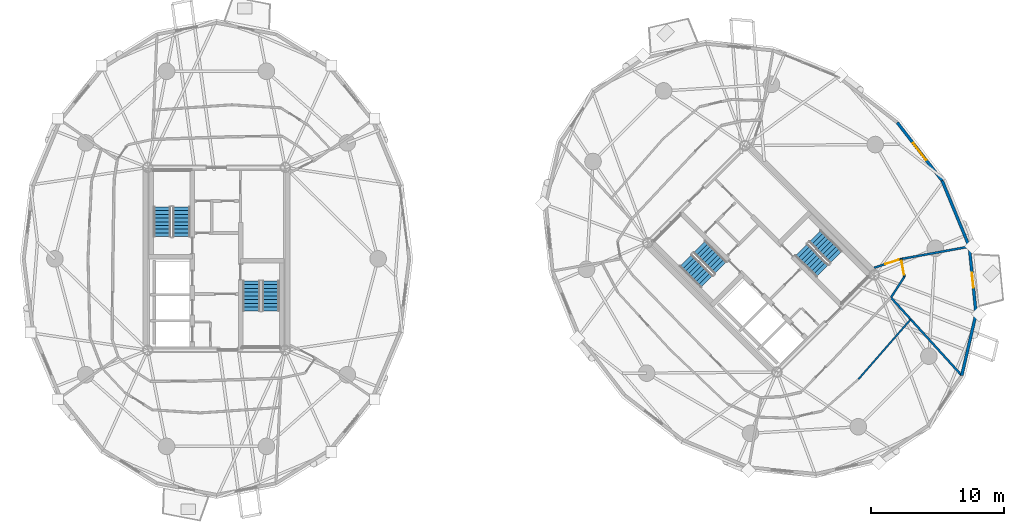
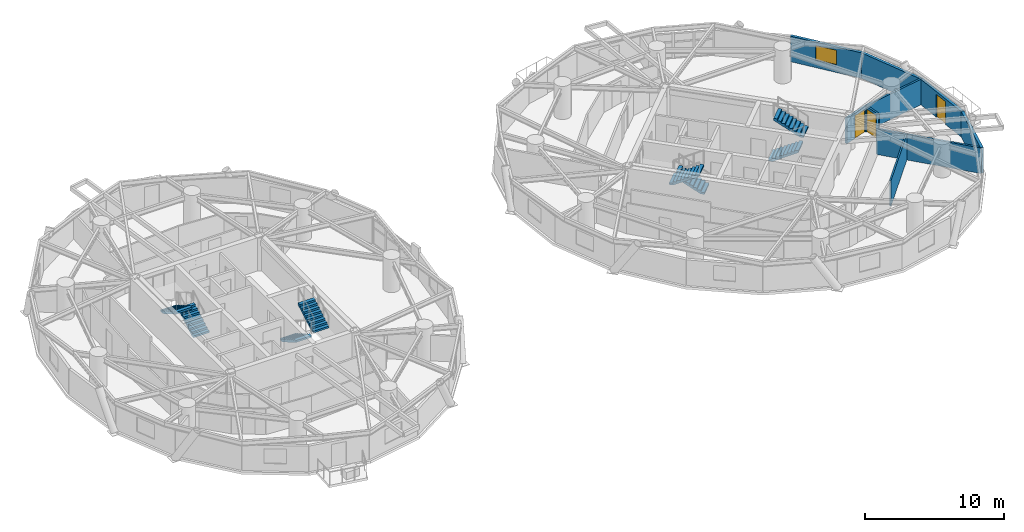
# One storey, part 16 of 19: 10 walls, 8 stair flights, 3 doors, 1 window, 4 openings, 4 elements without a shape of their own.
"""IFC4 building model written with IfcOpenShell, lengths in metres."""

from ifc_helpers import new_model, si_unit, direction, frame, frame_2d, origin, place, context, subcontext, project, spatial, polyline, rectangle, outline, extrude, source, transform, mapped, material, layer, layer_set, type_object, element, fill, aggregate, save


model = new_model("IFC4")

# Units and contexts
model_context = context("Model", 3, precision=1e-05, world=origin(), true_north=direction((0.0, 1.0)))
body_context = subcontext(model_context, "Body", "Model", "MODEL_VIEW")
ifc_project = project(units=[si_unit("LENGTHUNIT", "METRE"), si_unit("AREAUNIT", "SQUARE_METRE"), si_unit("VOLUMEUNIT", "CUBIC_METRE"), si_unit("PLANEANGLEUNIT", "RADIAN"), si_unit("MASSUNIT", "GRAM", prefix="KILO")], contexts=[model_context])

# Site, building, storey
site_placement = place(None, origin())
site = spatial("IfcSite", under=ifc_project, at=site_placement, CompositionType="ELEMENT")
building_placement = place(site_placement, origin())
building = spatial("IfcBuilding", under=site, at=building_placement, Name="Cununo Teusaquillo Station Towers", CompositionType="ELEMENT")
storey_placement = place(building_placement, frame((0.0, 0.0, 160.330078125)))
storey = spatial("IfcBuildingStorey", under=building, at=storey_placement, Name="L50", CompositionType="ELEMENT", Elevation=160.330078125)

# Wall
ifc_material_1 = material(Name="Precast concrete C40/50", Category="concrete")
ifc_layer_1 = layer(ifc_material_1, 0.219970703125)
ifc_layer_set_1 = layer_set([ifc_layer_1], Name="Precast concrete C40/50")
wall_type_1 = type_object("IfcWallType", Name="WL-EXT-220", PredefinedType="SOLIDWALL", material=ifc_layer_set_1)
wall_1_placement = place(storey_placement, frame((73.6982421875, 20.3671875, 0.0), z_axis=(0.0, 0.0, 1.0), x_axis=(-0.225659540039, -0.974206226622, 0.0)))
element("IfcWall", 1, at=wall_1_placement, inside=storey, type_object=wall_type_1, Name="L50 Tower B Exterior Facade Wall C16", PredefinedType="SOLIDWALL", context=body_context, shape_type="SweptSolid", body=[
    extrude(rectangle(XDim=4.76904296875, YDim=0.219970703125, at=frame_2d((2.384521484375, 0.0))), origin(), (0.0, 0.0, 1.0), 2.244873046875),
])

# Wall, opening, door
wall_2_placement = place(storey_placement, frame((73.189208984375, 25.417724609375, 0.0), z_axis=(0.0, 0.0, 1.0), x_axis=(0.100279889424, -0.994959267396, 0.0)))
wall_2 = element("IfcWall", 2, at=wall_2_placement, inside=storey, type_object=wall_type_1, Name="L50 Tower B Exterior Facade Wall C17", PredefinedType="SOLIDWALL", context=body_context, shape_type="SweptSolid", body=[
    extrude(rectangle(XDim=5.076171875, YDim=0.219970703125, at=frame_2d((2.5380859375, 0.0))), origin(), (0.0, 0.0, 1.0), 2.244873046875),
])
shared_shape_1 = source(origin(), body_context, "Body", "SweptSolid", [
    extrude(rectangle(XDim=1.14990234375, YDim=2.0048828125, at=frame_2d((0.574951171875, 1.00244140625))), frame((0.0, 0.119873046875, 0.0), z_axis=(0.0, -1.0, 0.0), x_axis=(1.0, 0.0, 0.0)), (0.0, 0.0, 1.0), 0.239990234375),
])
opening_1_placement = place(wall_2_placement, frame((1.962890625, 0.0, 0.0)))
opening_1 = element("IfcOpeningElement", 3, at=opening_1_placement, cuts=wall_2, Name="Opening ED-03", PredefinedType="OPENING", context=body_context, shape_type="MappedRepresentation", body=[
    mapped(shared_shape_1, transform((0.0, 0.0, 0.0), x_axis=(1.0, 0.0, 0.0), y_axis=(0.0, 1.0, 0.0), z_axis=(0.0, 0.0, 1.0), scale=1.0)),
])
ifc_material_2 = material(Name="Anodised dark bronze aluminium EN AW-6063-T6", Category="aluminium")
door_type_1 = type_object("IfcDoorType", Name="DR-EXT-BAL", OperationType="NOTDEFINED", PredefinedType="DOOR", material=ifc_material_2)
shared_shape_2 = source(origin(), body_context, "Body", "SweptSolid", [
    extrude(rectangle(XDim=1.14990234375, YDim=2.0048828125, at=frame_2d((0.574951171875, 1.00244140625))), frame((0.0, 0.02490234375, 0.0), z_axis=(0.0, -1.0, 0.0), x_axis=(1.0, 0.0, 0.0)), (0.0, 0.0, 1.0), 0.050048828125),
])
door_1_placement = place(opening_1_placement, origin())
door_1 = element("IfcDoor", 4, at=door_1_placement, inside=storey, type_object=door_type_1, Name="L50 Tower B Tree Balcony Door C17", OperationType="SINGLE_SWING_LEFT", OverallHeight=2.0048828125, OverallWidth=1.14990234375, PredefinedType="DOOR", context=body_context, shape_type="MappedRepresentation", body=[
    mapped(shared_shape_2, transform((0.0, 0.0, 0.0), x_axis=(1.0, 0.0, 0.0), y_axis=(0.0, 1.0, 0.0), z_axis=(0.0, 0.0, 1.0), scale=1.0)),
])
fill(opening_1, door_1)

# Wall
wall_3_placement = place(storey_placement, frame((71.144287109375, 30.37841796875, 0.0), z_axis=(0.0, 0.0, 1.0), x_axis=(0.38111364655, -0.924528197738, 0.0)))
element("IfcWall", 5, at=wall_3_placement, inside=storey, type_object=wall_type_1, Name="L50 Tower B Exterior Facade Wall C18", PredefinedType="SOLIDWALL", context=body_context, shape_type="SweptSolid", body=[
    extrude(rectangle(XDim=5.36572265625, YDim=0.219970703125, at=frame_2d((2.682861328125, 0.0))), origin(), (0.0, 0.0, 1.0), 2.244873046875),
])

# Wall, opening, window
wall_4_placement = place(storey_placement, frame((67.763671875, 34.763671875, 0.0), z_axis=(0.0, 0.0, 1.0), x_axis=(0.610543584779, -0.791982658323, 0.0)))
wall_4 = element("IfcWall", 6, at=wall_4_placement, inside=storey, type_object=wall_type_1, Name="L50 Tower B Exterior Facade Wall C19", PredefinedType="SOLIDWALL", context=body_context, shape_type="SweptSolid", body=[
    extrude(rectangle(XDim=5.537109375, YDim=0.219970703125, at=frame_2d((2.7685546875, 0.0))), origin(), (0.0, 0.0, 1.0), 2.244873046875),
])
shared_shape_3 = source(origin(), body_context, "Body", "SweptSolid", [
    extrude(rectangle(XDim=1.60009765625, YDim=1.300048828125, at=frame_2d((0.800048828125, 0.64990234375))), frame((0.0, 0.119873046875, 0.0), z_axis=(0.0, -1.0, 0.0), x_axis=(1.0, 0.0, 0.0)), (0.0, 0.0, 1.0), 0.239990234375),
])
opening_2_placement = place(wall_4_placement, frame((1.968017578125, 0.0, 0.64990234375)))
opening_2 = element("IfcOpeningElement", 7, at=opening_2_placement, cuts=wall_4, Name="Opening WN-03", PredefinedType="OPENING", context=body_context, shape_type="MappedRepresentation", body=[
    mapped(shared_shape_3, transform((0.0, 0.0, 0.0), x_axis=(1.0, 0.0, 0.0), y_axis=(0.0, 1.0, 0.0), z_axis=(0.0, 0.0, 1.0), scale=1.0)),
])
ifc_material_3 = material(Name="Ceramic-fritted dark low-E double glazing", Category="glass")
window_type = type_object("IfcWindowType", Name="WIN-CORN-1600", PartitioningType="SINGLE_PANEL", PredefinedType="WINDOW", material=ifc_material_3)
shared_shape_4 = source(origin(), body_context, "Body", "SweptSolid", [
    extrude(rectangle(XDim=1.60009765625, YDim=1.300048828125, at=frame_2d((0.800048828125, 0.64990234375))), frame((0.0, 0.030029296875, 0.0), z_axis=(0.0, -1.0, 0.0), x_axis=(1.0, 0.0, 0.0)), (0.0, 0.0, 1.0), 0.06005859375),
])
window_placement = place(opening_2_placement, origin())
window = element("IfcWindow", 8, at=window_placement, inside=storey, type_object=window_type, Name="L50 Tower B Facade Window C19", OverallHeight=1.300048828125, OverallWidth=1.60009765625, PartitioningType="SINGLE_PANEL", PredefinedType="WINDOW", context=body_context, shape_type="MappedRepresentation", body=[
    mapped(shared_shape_4, transform((0.0, 0.0, 0.0), x_axis=(1.0, 0.0, 0.0), y_axis=(0.0, 1.0, 0.0), z_axis=(0.0, 0.0, 1.0), scale=1.0)),
])
fill(opening_2, window)

# Walls
ifc_material_4 = material(Name="Fire-rated gypsum plasterboard partition assembly", Category="gypsum")
ifc_layer_2 = layer(ifc_material_4, 0.125)
ifc_layer_set_2 = layer_set([ifc_layer_2], Name="Fire-rated gypsum plasterboard partition assembly")
wall_type_2 = type_object("IfcWallType", Name="WL-PART-125", PredefinedType="PARTITIONING", material=ifc_layer_set_2)
wall_5_placement = place(storey_placement, frame((64.838623046875, 15.4326171875, 0.0), z_axis=(0.0, 0.0, 1.0), x_axis=(0.657505208165, 0.753449999161, 0.0)))
element("IfcWall", 9, at=wall_5_placement, inside=storey, type_object=wall_type_2, Name="L50 Tower B Cordillera Executive Conference Salon Concentric Partition Wall C15", PredefinedType="PARTITIONING", context=body_context, shape_type="SweptSolid", body=[
    extrude(rectangle(XDim=5.987548828125, YDim=0.125, at=frame_2d((2.99365234375, 0.0))), origin(), (0.0, 0.0, 1.0), 2.244873046875),
])
ifc_material_5 = material(Name="Fire-rated gypsum plasterboard partition assembly", Category="gypsum")
ifc_layer_3 = layer(ifc_material_5, 0.14990234375)
ifc_layer_set_3 = layer_set([ifc_layer_3], Name="Fire-rated gypsum plasterboard partition assembly")
wall_type_3 = type_object("IfcWallType", Name="WL-PART-150", PredefinedType="PARTITIONING", material=ifc_layer_set_3)
wall_6_placement = place(storey_placement, frame((67.28662109375, 21.582275390625, 0.0), z_axis=(0.0, 0.0, 1.0), x_axis=(0.543202443884, 0.839601753785, 0.0)))
element("IfcWall", 10, at=wall_6_placement, inside=storey, type_object=wall_type_3, Name="L50 Tower B Corridor Ring Wall C16", PredefinedType="PARTITIONING", context=body_context, shape_type="SweptSolid", body=[
    extrude(rectangle(XDim=1.86572265625, YDim=0.14990234375, at=frame_2d((0.932861328125, 0.0))), origin(), (0.0, 0.0, 1.0), 2.244873046875),
])

# Wall, opening, door
wall_7_placement = place(storey_placement, frame((68.300048828125, 23.148681640625, 0.0), z_axis=(0.0, 0.0, 1.0), x_axis=(-0.176423554694, 0.984314344785, 0.0)))
wall_7 = element("IfcWall", 11, at=wall_7_placement, inside=storey, type_object=wall_type_3, Name="L50 Tower B Corridor Ring Wall C17", PredefinedType="PARTITIONING", context=body_context, shape_type="SweptSolid", body=[
    extrude(rectangle(XDim=1.361572265625, YDim=0.14990234375, at=frame_2d((0.6806640625, 0.0))), origin(), (0.0, 0.0, 1.0), 2.244873046875),
])
shared_shape_5 = source(origin(), body_context, "Body", "SweptSolid", [
    extrude(rectangle(XDim=1.050048828125, YDim=2.014892578125, at=frame_2d((0.52490234375, 1.00732421875))), frame((0.0, 0.0849609375, 0.0), z_axis=(0.0, -1.0, 0.0), x_axis=(1.0, 0.0, 0.0)), (0.0, 0.0, 1.0), 0.169921875),
])
opening_3_placement = place(wall_7_placement, frame((0.156005859375, 0.0, 0.0)))
opening_3 = element("IfcOpeningElement", 12, at=opening_3_placement, cuts=wall_7, Name="Opening D-SU1", PredefinedType="OPENING", context=body_context, shape_type="MappedRepresentation", body=[
    mapped(shared_shape_5, transform((0.0, 0.0, 0.0), x_axis=(1.0, 0.0, 0.0), y_axis=(0.0, 1.0, 0.0), z_axis=(0.0, 0.0, 1.0), scale=1.0)),
])
ifc_material_6 = material(Name="Acoustic solid-core hardwood leaf assembly", Category="wood")
door_type_2 = type_object("IfcDoorType", Name="DR-SUITE-1050", OperationType="NOTDEFINED", PredefinedType="DOOR", material=ifc_material_6)
shared_shape_6 = source(origin(), body_context, "Body", "SweptSolid", [
    extrude(rectangle(XDim=1.050048828125, YDim=2.014892578125, at=frame_2d((0.52490234375, 1.00732421875))), frame((0.0, 0.02490234375, 0.0), z_axis=(0.0, -1.0, 0.0), x_axis=(1.0, 0.0, 0.0)), (0.0, 0.0, 1.0), 0.050048828125),
])
door_2_placement = place(opening_3_placement, origin())
door_2 = element("IfcDoor", 13, at=door_2_placement, inside=storey, type_object=door_type_2, Name="L50 Tower B Hotel Housekeeping & Linen Pantry Entrance Door", OperationType="SINGLE_SWING_LEFT", OverallHeight=2.014892578125, OverallWidth=1.050048828125, PredefinedType="DOOR", context=body_context, shape_type="MappedRepresentation", body=[
    mapped(shared_shape_6, transform((0.0, 0.0, 0.0), x_axis=(1.0, 0.0, 0.0), y_axis=(0.0, 1.0, 0.0), z_axis=(0.0, 0.0, 1.0), scale=1.0)),
])
fill(opening_3, door_2)

# Walls
ifc_material_7 = material(Name="Fire-rated gypsum plasterboard partition assembly", Category="gypsum")
ifc_layer_4 = layer(ifc_material_7, 0.159912109375)
ifc_layer_set_4 = layer_set([ifc_layer_4], Name="Fire-rated gypsum plasterboard partition assembly")
wall_type_4 = type_object("IfcWallType", Name="WL-PART-160", PredefinedType="PARTITIONING", material=ifc_layer_set_4)
wall_8_placement = place(storey_placement, frame((67.28662109375, 21.582275390625, 0.0), z_axis=(0.0, 0.0, 1.0), x_axis=(0.672520632772, -0.740078373212, 0.0)))
element("IfcWall", 14, at=wall_8_placement, inside=storey, type_object=wall_type_4, Name="L50 Tower B Radial Suite Partition R05", PredefinedType="PARTITIONING", context=body_context, shape_type="SweptSolid", body=[
    extrude(rectangle(XDim=7.906982421875, YDim=0.159912109375, at=frame_2d((3.95361328125, 0.0))), origin(), (0.0, 0.0, 1.0), 2.244873046875),
])
wall_9_placement = place(storey_placement, frame((68.059814453125, 24.489013671875, 0.0), z_axis=(0.0, 0.0, 1.0), x_axis=(0.983987798657, 0.178235832802, 0.0)))
element("IfcWall", 15, at=wall_9_placement, inside=storey, type_object=wall_type_4, Name="L50 Tower B Radial Suite Partition R06", PredefinedType="PARTITIONING", context=body_context, shape_type="SweptSolid", body=[
    extrude(rectangle(XDim=5.19287109375, YDim=0.159912109375, at=frame_2d((2.596435546875, 0.0))), origin(), (0.0, 0.0, 1.0), 2.244873046875),
])

# Wall, opening, door
wall_10_placement = place(storey_placement, frame((66.0205078125, 23.828125, 0.0), z_axis=(0.0, 0.0, 1.0), x_axis=(0.951292345965, 0.308290240695, 0.0)))
wall_10 = element("IfcWall", 16, at=wall_10_placement, inside=storey, type_object=wall_type_4, Name="L50 Tower B East Salon Corridor Portal Wall SE", PredefinedType="PARTITIONING", context=body_context, shape_type="SweptSolid", body=[
    extrude(rectangle(XDim=2.143798828125, YDim=0.159912109375, at=frame_2d((1.07177734375, 0.0))), origin(), (0.0, 0.0, 1.0), 2.244873046875),
])
shared_shape_7 = source(origin(), body_context, "Body", "SweptSolid", [
    extrude(rectangle(XDim=1.050048828125, YDim=2.014892578125, at=frame_2d((0.52490234375, 1.00732421875))), frame((0.0, 0.08984375, 0.0), z_axis=(0.0, -1.0, 0.0), x_axis=(1.0, 0.0, 0.0)), (0.0, 0.0, 1.0), 0.179931640625),
])
opening_4_placement = place(wall_10_placement, frame((0.893798828125, 0.0, 0.0)))
opening_4 = element("IfcOpeningElement", 17, at=opening_4_placement, cuts=wall_10, Name="Opening D-SU1", PredefinedType="OPENING", context=body_context, shape_type="MappedRepresentation", body=[
    mapped(shared_shape_7, transform((0.0, 0.0, 0.0), x_axis=(1.0, 0.0, 0.0), y_axis=(0.0, 1.0, 0.0), z_axis=(0.0, 0.0, 1.0), scale=1.0)),
])
door_3_placement = place(opening_4_placement, origin())
door_3 = element("IfcDoor", 18, at=door_3_placement, inside=storey, type_object=door_type_2, Name="L50 Tower B East Panorama Sky Salon Door SE", OperationType="SINGLE_SWING_LEFT", OverallHeight=2.014892578125, OverallWidth=1.050048828125, PredefinedType="DOOR", context=body_context, shape_type="MappedRepresentation", body=[
    mapped(shared_shape_6, transform((0.0, 0.0, 0.0), x_axis=(1.0, 0.0, 0.0), y_axis=(0.0, 1.0, 0.0), z_axis=(0.0, 0.0, 1.0), scale=1.0)),
])
fill(opening_4, door_3)

# Stair, stair flights
ifc_material_8 = material(Name="Concrete C50/60", Category="concrete")
stair_type = type_object("IfcStairType", Name="ST-TWR-1300", PredefinedType="HALF_TURN_STAIR", material=ifc_material_8)
stair_1_placement = place(storey_placement, origin())
stair_1 = element("IfcStair", 19, at=stair_1_placement, inside=storey, type_object=stair_type, Name="L50 Tower A Protected Core Exit Stair 1", PredefinedType="HALF_TURN_STAIR")
ifc_material_9 = material(Name="Concrete C50/60", Category="concrete")
stair_flight_type = type_object("IfcStairFlightType", Name="SFL-TWR-1300", PredefinedType="STRAIGHT", material=ifc_material_9)
stair_flight_1_placement = place(storey_placement, frame((13.8701171875, 26.169921875, 0.0), z_axis=(0.0, 0.0, 1.0), x_axis=(0.0, 1.0, 0.0)))
stair_flight_1 = element("IfcStairFlight", 20, at=stair_flight_1_placement, type_object=stair_flight_type, Name="ST-T1-1 flight 1", NumberOfRisers=9, NumberOfTreads=8, PredefinedType="STRAIGHT", RiserHeight=0.161666667, TreadLength=0.28, context=body_context, shape_type="SweptSolid", body=[
    extrude(outline(polyline([(0.0, 0.0), (0.0, 0.16162109375), (0.280029296875, 0.16162109375), (0.280029296875, 0.3232421875), (0.56005859375, 0.3232421875), (0.56005859375, 0.485107421875), (0.840087890625, 0.485107421875), (0.840087890625, 0.646728515625), (1.1201171875, 0.646728515625), (1.1201171875, 0.808349609375), (1.39990234375, 0.808349609375), (1.39990234375, 0.969970703125), (1.679931640625, 0.969970703125), (1.679931640625, 1.131591796875), (1.9599609375, 1.131591796875), (1.9599609375, 1.293212890625), (2.239990234375, 1.293212890625), (2.239990234375, 1.455078125), (2.239990234375, 1.1201171875), (0.2998046875, 0.0), (0.0, 0.0)])), frame((0.0, 0.64990234375, 0.0), z_axis=(0.0, -1.0, 0.0), x_axis=(1.0, 0.0, 0.0)), (0.0, 0.0, 1.0), 1.300048828125),
])
stair_flight_2_placement = place(storey_placement, frame((12.409912109375, 28.409912109375, 1.454833984375), z_axis=(0.0, 0.0, 1.0), x_axis=(0.0, -1.0, 0.0)))
stair_flight_2 = element("IfcStairFlight", 21, at=stair_flight_2_placement, type_object=stair_flight_type, Name="ST-T1-1 flight 2", NumberOfRisers=9, NumberOfTreads=8, PredefinedType="STRAIGHT", RiserHeight=0.161666667, TreadLength=0.28, context=body_context, shape_type="SweptSolid", body=[
    extrude(outline(polyline([(0.0, 0.0), (0.0, 0.16162109375), (0.280029296875, 0.16162109375), (0.280029296875, 0.3232421875), (0.56005859375, 0.3232421875), (0.56005859375, 0.485107421875), (0.840087890625, 0.485107421875), (0.840087890625, 0.646728515625), (1.1201171875, 0.646728515625), (1.1201171875, 0.808349609375), (1.39990234375, 0.808349609375), (1.39990234375, 0.969970703125), (1.679931640625, 0.969970703125), (1.679931640625, 1.131591796875), (1.9599609375, 1.131591796875), (1.9599609375, 1.293212890625), (2.239990234375, 1.293212890625), (2.239990234375, 1.455078125), (2.239990234375, 1.1201171875), (0.2998046875, 0.0), (0.0, 0.0)])), frame((0.0, 0.64990234375, 0.0), z_axis=(0.0, -1.0, 0.0), x_axis=(1.0, 0.0, 0.0)), (0.0, 0.0, 1.0), 1.300048828125),
])
aggregate(stair_1, [stair_flight_1, stair_flight_2])

stair_2_placement = place(storey_placement, origin())
stair_2 = element("IfcStair", 22, at=stair_2_placement, inside=storey, type_object=stair_type, Name="L50 Tower A Protected Core Exit Stair 2", PredefinedType="HALF_TURN_STAIR")
stair_flight_3_placement = place(storey_placement, frame((19.1298828125, 22.830078125, 0.0), z_axis=(0.0, 0.0, 1.0), x_axis=(0.0, -1.0, 0.0)))
stair_flight_3 = element("IfcStairFlight", 23, at=stair_flight_3_placement, type_object=stair_flight_type, Name="ST-T1-2 flight 1", NumberOfRisers=9, NumberOfTreads=8, PredefinedType="STRAIGHT", RiserHeight=0.161666667, TreadLength=0.28, context=body_context, shape_type="SweptSolid", body=[
    extrude(outline(polyline([(0.0, 0.0), (0.0, 0.16162109375), (0.280029296875, 0.16162109375), (0.280029296875, 0.3232421875), (0.56005859375, 0.3232421875), (0.56005859375, 0.485107421875), (0.840087890625, 0.485107421875), (0.840087890625, 0.646728515625), (1.1201171875, 0.646728515625), (1.1201171875, 0.808349609375), (1.39990234375, 0.808349609375), (1.39990234375, 0.969970703125), (1.679931640625, 0.969970703125), (1.679931640625, 1.131591796875), (1.9599609375, 1.131591796875), (1.9599609375, 1.293212890625), (2.239990234375, 1.293212890625), (2.239990234375, 1.455078125), (2.239990234375, 1.1201171875), (0.2998046875, 0.0), (0.0, 0.0)])), frame((0.0, 0.64990234375, 0.0), z_axis=(0.0, -1.0, 0.0), x_axis=(1.0, 0.0, 0.0)), (0.0, 0.0, 1.0), 1.300048828125),
])
stair_flight_4_placement = place(storey_placement, frame((20.590087890625, 20.590087890625, 1.454833984375), z_axis=(0.0, 0.0, 1.0), x_axis=(0.0, 1.0, 0.0)))
stair_flight_4 = element("IfcStairFlight", 24, at=stair_flight_4_placement, type_object=stair_flight_type, Name="ST-T1-2 flight 2", NumberOfRisers=9, NumberOfTreads=8, PredefinedType="STRAIGHT", RiserHeight=0.161666667, TreadLength=0.28, context=body_context, shape_type="SweptSolid", body=[
    extrude(outline(polyline([(0.0, 0.0), (0.0, 0.16162109375), (0.280029296875, 0.16162109375), (0.280029296875, 0.3232421875), (0.56005859375, 0.3232421875), (0.56005859375, 0.485107421875), (0.840087890625, 0.485107421875), (0.840087890625, 0.646728515625), (1.1201171875, 0.646728515625), (1.1201171875, 0.808349609375), (1.39990234375, 0.808349609375), (1.39990234375, 0.969970703125), (1.679931640625, 0.969970703125), (1.679931640625, 1.131591796875), (1.9599609375, 1.131591796875), (1.9599609375, 1.293212890625), (2.239990234375, 1.293212890625), (2.239990234375, 1.455078125), (2.239990234375, 1.1201171875), (0.2998046875, 0.0), (0.0, 0.0)])), frame((0.0, 0.64990234375, 0.0), z_axis=(0.0, -1.0, 0.0), x_axis=(1.0, 0.0, 0.0)), (0.0, 0.0, 1.0), 1.300048828125),
])
aggregate(stair_2, [stair_flight_3, stair_flight_4])

stair_3_placement = place(storey_placement, origin())
stair_3 = element("IfcStair", 25, at=stair_3_placement, inside=storey, type_object=stair_type, Name="L50 Tower B Protected Core Exit Stair 1", PredefinedType="HALF_TURN_STAIR")
stair_flight_5_placement = place(storey_placement, frame((54.45947265625, 23.8212890625, 0.0), z_axis=(0.0, 0.0, 1.0), x_axis=(-0.707106781187, 0.707106781187, 0.0)))
stair_flight_5 = element("IfcStairFlight", 26, at=stair_flight_5_placement, type_object=stair_flight_type, Name="ST-T2-1 flight 1", NumberOfRisers=9, NumberOfTreads=8, PredefinedType="STRAIGHT", RiserHeight=0.161666667, TreadLength=0.28, context=body_context, shape_type="SweptSolid", body=[
    extrude(outline(polyline([(0.0, 0.0), (0.0, 0.16162109375), (0.280029296875, 0.16162109375), (0.280029296875, 0.3232421875), (0.56005859375, 0.3232421875), (0.56005859375, 0.485107421875), (0.840087890625, 0.485107421875), (0.840087890625, 0.646728515625), (1.1201171875, 0.646728515625), (1.1201171875, 0.808349609375), (1.39990234375, 0.808349609375), (1.39990234375, 0.969970703125), (1.679931640625, 0.969970703125), (1.679931640625, 1.131591796875), (1.9599609375, 1.131591796875), (1.9599609375, 1.293212890625), (2.239990234375, 1.293212890625), (2.239990234375, 1.455078125), (2.239990234375, 1.1201171875), (0.2998046875, 0.0), (0.0, 0.0)])), frame((0.0, 0.64990234375, 0.0), z_axis=(0.0, -1.0, 0.0), x_axis=(1.0, 0.0, 0.0)), (0.0, 0.0, 1.0), 1.300048828125),
])
stair_flight_6_placement = place(storey_placement, frame((51.84326171875, 24.372802734375, 1.454833984375), z_axis=(0.0, 0.0, 1.0), x_axis=(0.707106781187, -0.707106781187, 0.0)))
stair_flight_6 = element("IfcStairFlight", 27, at=stair_flight_6_placement, type_object=stair_flight_type, Name="ST-T2-1 flight 2", NumberOfRisers=9, NumberOfTreads=8, PredefinedType="STRAIGHT", RiserHeight=0.161666667, TreadLength=0.28, context=body_context, shape_type="SweptSolid", body=[
    extrude(outline(polyline([(0.0, 0.0), (0.0, 0.16162109375), (0.280029296875, 0.16162109375), (0.280029296875, 0.3232421875), (0.56005859375, 0.3232421875), (0.56005859375, 0.485107421875), (0.840087890625, 0.485107421875), (0.840087890625, 0.646728515625), (1.1201171875, 0.646728515625), (1.1201171875, 0.808349609375), (1.39990234375, 0.808349609375), (1.39990234375, 0.969970703125), (1.679931640625, 0.969970703125), (1.679931640625, 1.131591796875), (1.9599609375, 1.131591796875), (1.9599609375, 1.293212890625), (2.239990234375, 1.293212890625), (2.239990234375, 1.455078125), (2.239990234375, 1.1201171875), (0.2998046875, 0.0), (0.0, 0.0)])), frame((0.0, 0.64990234375, 0.0), z_axis=(0.0, -1.0, 0.0), x_axis=(1.0, 0.0, 0.0)), (0.0, 0.0, 1.0), 1.300048828125),
])
aggregate(stair_3, [stair_flight_5, stair_flight_6])

stair_4_placement = place(storey_placement, origin())
stair_4 = element("IfcStair", 28, at=stair_4_placement, inside=storey, type_object=stair_type, Name="L50 Tower B Protected Core Exit Stair 2", PredefinedType="HALF_TURN_STAIR")
stair_flight_7_placement = place(storey_placement, frame((60.54052734375, 25.1787109375, 0.0), z_axis=(0.0, 0.0, 1.0), x_axis=(0.707106781187, -0.707106781187, 0.0)))
stair_flight_7 = element("IfcStairFlight", 29, at=stair_flight_7_placement, type_object=stair_flight_type, Name="ST-T2-2 flight 1", NumberOfRisers=9, NumberOfTreads=8, PredefinedType="STRAIGHT", RiserHeight=0.161666667, TreadLength=0.28, context=body_context, shape_type="SweptSolid", body=[
    extrude(outline(polyline([(0.0, 0.0), (0.0, 0.16162109375), (0.280029296875, 0.16162109375), (0.280029296875, 0.3232421875), (0.56005859375, 0.3232421875), (0.56005859375, 0.485107421875), (0.840087890625, 0.485107421875), (0.840087890625, 0.646728515625), (1.1201171875, 0.646728515625), (1.1201171875, 0.808349609375), (1.39990234375, 0.808349609375), (1.39990234375, 0.969970703125), (1.679931640625, 0.969970703125), (1.679931640625, 1.131591796875), (1.9599609375, 1.131591796875), (1.9599609375, 1.293212890625), (2.239990234375, 1.293212890625), (2.239990234375, 1.455078125), (2.239990234375, 1.1201171875), (0.2998046875, 0.0), (0.0, 0.0)])), frame((0.0, 0.64990234375, 0.0), z_axis=(0.0, -1.0, 0.0), x_axis=(1.0, 0.0, 0.0)), (0.0, 0.0, 1.0), 1.300048828125),
])
stair_flight_8_placement = place(storey_placement, frame((63.15673828125, 24.627197265625, 1.454833984375), z_axis=(0.0, 0.0, 1.0), x_axis=(-0.707106781187, 0.707106781187, 0.0)))
stair_flight_8 = element("IfcStairFlight", 30, at=stair_flight_8_placement, type_object=stair_flight_type, Name="ST-T2-2 flight 2", NumberOfRisers=9, NumberOfTreads=8, PredefinedType="STRAIGHT", RiserHeight=0.161666667, TreadLength=0.28, context=body_context, shape_type="SweptSolid", body=[
    extrude(outline(polyline([(0.0, 0.0), (0.0, 0.16162109375), (0.280029296875, 0.16162109375), (0.280029296875, 0.3232421875), (0.56005859375, 0.3232421875), (0.56005859375, 0.485107421875), (0.840087890625, 0.485107421875), (0.840087890625, 0.646728515625), (1.1201171875, 0.646728515625), (1.1201171875, 0.808349609375), (1.39990234375, 0.808349609375), (1.39990234375, 0.969970703125), (1.679931640625, 0.969970703125), (1.679931640625, 1.131591796875), (1.9599609375, 1.131591796875), (1.9599609375, 1.293212890625), (2.239990234375, 1.293212890625), (2.239990234375, 1.455078125), (2.239990234375, 1.1201171875), (0.2998046875, 0.0), (0.0, 0.0)])), frame((0.0, 0.64990234375, 0.0), z_axis=(0.0, -1.0, 0.0), x_axis=(1.0, 0.0, 0.0)), (0.0, 0.0, 1.0), 1.300048828125),
])
aggregate(stair_4, [stair_flight_7, stair_flight_8])

save(model, "model.ifc")
